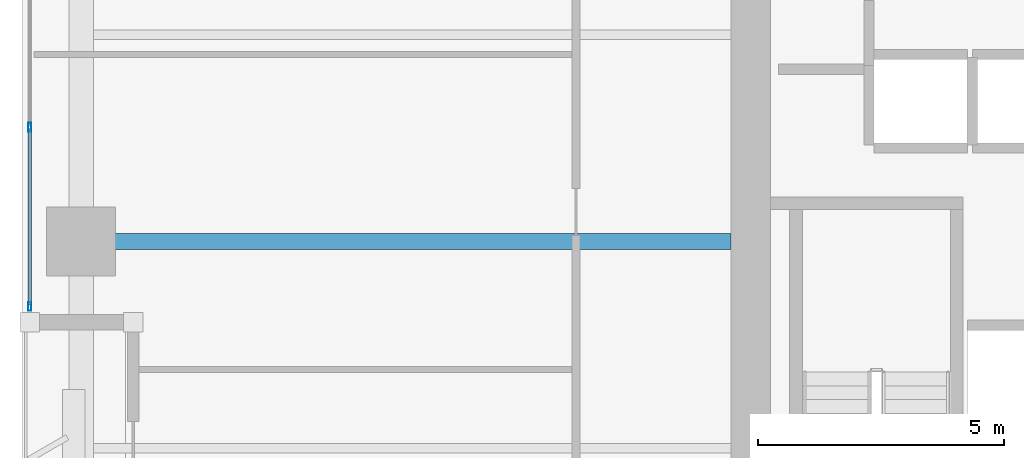
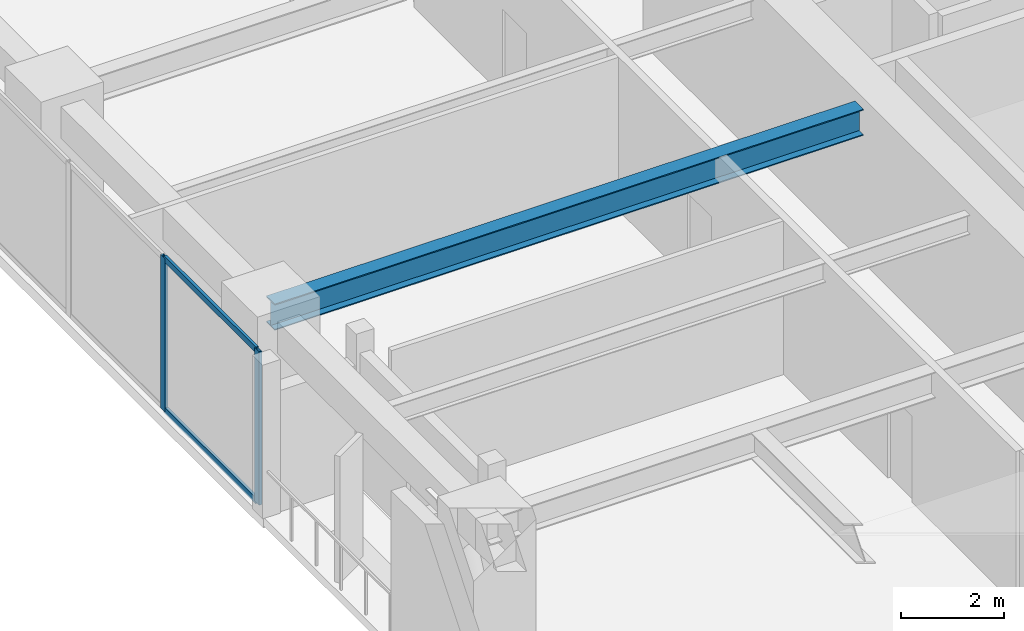
# One storey, part 2 of 24: 4 members, 1 beam, 1 element without a shape of its own.
"""IFC4 building model written with IfcOpenShell, lengths in metres."""

from ifc_helpers import new_model, si_unit, direction, frame, origin, origin_2d, place, context, subcontext, project, spatial, hollow_rectangle, i_section, extrude, material, layer, layer_set, material_profile, profile_set, type_object, element, aggregate, save


model = new_model("IFC4")

# Units and contexts
model_context = context("Model", 3, precision=1e-05, world=origin(), true_north=direction((0.0, 1.0)))
body_context = subcontext(model_context, "Body", "Model", "MODEL_VIEW")
ifc_project = project(units=[si_unit("LENGTHUNIT", "METRE"), si_unit("AREAUNIT", "SQUARE_METRE"), si_unit("VOLUMEUNIT", "CUBIC_METRE"), si_unit("PLANEANGLEUNIT", "RADIAN"), si_unit("MASSUNIT", "GRAM", prefix="KILO")], contexts=[model_context])

# Site, building, storey
site_placement = place(None, origin())
site = spatial("IfcSite", under=ifc_project, at=site_placement, CompositionType="ELEMENT")
building_placement = place(site_placement, origin())
building = spatial("IfcBuilding", under=site, at=building_placement, Name="Kiyonajd Concourse Tower", CompositionType="ELEMENT")
storey_placement = place(building_placement, frame((0.0, 0.0, 93.60009765625)))
storey = spatial("IfcBuildingStorey", under=building, at=storey_placement, Name="L24", CompositionType="ELEMENT", Elevation=93.60009765625)

# Beam
ifc_material_1 = material(Name="Steel ASTM A992 Grade 50", Category="steel")
ifc_material_profile_1 = material_profile(ifc_material_1, i_section(OverallWidth=0.326904296875, OverallDepth=0.6220703125, WebThickness=0.015380859375, FlangeThickness=0.0244140625, at=origin_2d()), Name="W610X195")
ifc_profile_set_1 = profile_set([ifc_material_profile_1], Name="Steel ASTM A992 Grade 50")
beam_type = type_object("IfcBeamType", Name="BM-TWR-610A", PredefinedType="BEAM", material=ifc_profile_set_1)
beam_placement = place(storey_placement, frame((19.199951171875, 36.0, 3.328857421875), z_axis=(1.0, 0.0, 0.0), x_axis=(0.0, 1.0, 0.0)))
element("IfcBeam", 1, at=beam_placement, inside=storey, type_object=beam_type, Name="L24 West Lease Girder", PredefinedType="BEAM", context=body_context, shape_type="SweptSolid", body=[
    extrude(i_section(OverallWidth=0.326904296875, OverallDepth=0.6220703125, WebThickness=0.015380859375, FlangeThickness=0.0244140625, at=origin_2d()), origin(), (0.0, 0.0, 1.0), 13.199951171875),
])

# Curtain wall, members
ifc_material_2 = material(Name="Thermally Broken Anodised Aluminium", Category="aluminium")
ifc_layer = layer(ifc_material_2, 0.179931640625)
ifc_layer_set = layer_set([ifc_layer], Name="Thermally Broken Anodised Aluminium")
curtain_wall_type = type_object("IfcCurtainWallType", Name="CW-SYS-03", PredefinedType="NOTDEFINED", material=ifc_layer_set)
curtain_wall_placement = place(storey_placement, origin())
curtain_wall = element("IfcCurtainWall", 2, at=curtain_wall_placement, inside=storey, type_object=curtain_wall_type, Name="L24 Unitised Curtain Wall CW3", PredefinedType="NOTDEFINED")
ifc_material_profile_2 = material_profile(ifc_material_2, hollow_rectangle(XDim=0.06494140625, YDim=0.179931640625, WallThickness=0.00390625, at=origin_2d()), Name="MULL-65x180")
ifc_profile_set_2 = profile_set([ifc_material_profile_2], Name="Thermally Broken Anodised Aluminium")
member_type_1 = type_object("IfcMemberType", Name="MB-CW-MULL1", PredefinedType="MULLION", material=ifc_profile_set_2)
member_1_placement = place(storey_placement, frame((18.159912109375, 34.6826171875, 0.0), z_axis=(0.0, 0.0, 1.0), x_axis=(-1.0, 0.0, 0.0)))
member_1 = element("IfcMember", 3, at=member_1_placement, type_object=member_type_1, Name="CW3 mullion 1", PredefinedType="MULLION", context=body_context, shape_type="SweptSolid", body=[
    extrude(hollow_rectangle(XDim=0.06494140625, YDim=0.179931640625, WallThickness=0.00390625, at=origin_2d()), origin(), (0.0, 0.0, 1.0), 3.639892578125),
])
member_2_placement = place(storey_placement, frame((18.159912109375, 38.3232421875, 0.0), z_axis=(0.0, 0.0, 1.0), x_axis=(-1.0, 0.0, 0.0)))
member_2 = element("IfcMember", 4, at=member_2_placement, type_object=member_type_1, Name="CW3 mullion 2", PredefinedType="MULLION", context=body_context, shape_type="SweptSolid", body=[
    extrude(hollow_rectangle(XDim=0.06494140625, YDim=0.179931640625, WallThickness=0.00390625, at=origin_2d()), origin(), (0.0, 0.0, 1.0), 3.639892578125),
])
ifc_material_profile_3 = material_profile(ifc_material_2, hollow_rectangle(XDim=0.06494140625, YDim=0.139892578125, WallThickness=0.00390625, at=origin_2d()), Name="TRAN-65x140")
ifc_profile_set_3 = profile_set([ifc_material_profile_3], Name="Thermally Broken Anodised Aluminium")
member_type_2 = type_object("IfcMemberType", Name="MB-CW-TRAN1", PredefinedType="USERDEFINED", material=ifc_profile_set_3)
member_3_placement = place(storey_placement, frame((18.159912109375, 34.715087890625, 0.032470703125), z_axis=(0.0, 1.0, 0.0), x_axis=(-1.0, 0.0, 0.0)))
member_3 = element("IfcMember", 5, at=member_3_placement, type_object=member_type_2, Name="CW3 transom 1.1", ObjectType="TRANSOM", PredefinedType="USERDEFINED", context=body_context, shape_type="SweptSolid", body=[
    extrude(hollow_rectangle(XDim=0.06494140625, YDim=0.139892578125, WallThickness=0.00390625, at=origin_2d()), origin(), (0.0, 0.0, 1.0), 3.57568359375),
])
member_4_placement = place(storey_placement, frame((18.159912109375, 34.715087890625, 3.607421875), z_axis=(0.0, 1.0, 0.0), x_axis=(-1.0, 0.0, 0.0)))
member_4 = element("IfcMember", 6, at=member_4_placement, type_object=member_type_2, Name="CW3 transom 1.2", ObjectType="TRANSOM", PredefinedType="USERDEFINED", context=body_context, shape_type="SweptSolid", body=[
    extrude(hollow_rectangle(XDim=0.06494140625, YDim=0.139892578125, WallThickness=0.00390625, at=origin_2d()), origin(), (0.0, 0.0, 1.0), 3.57568359375),
])
aggregate(curtain_wall, [member_1, member_2, member_3, member_4])

save(model, "model.ifc")
